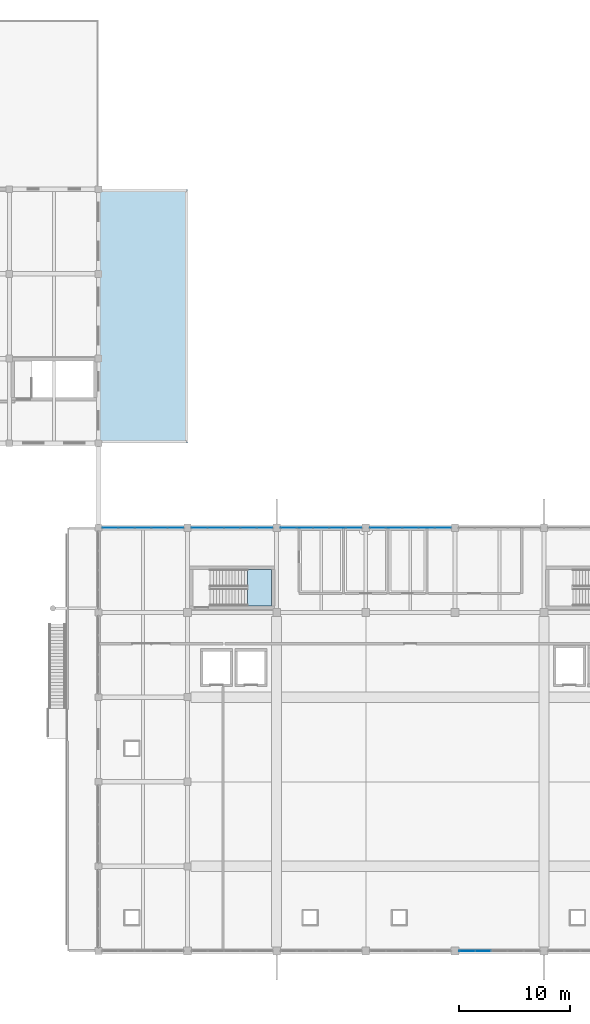
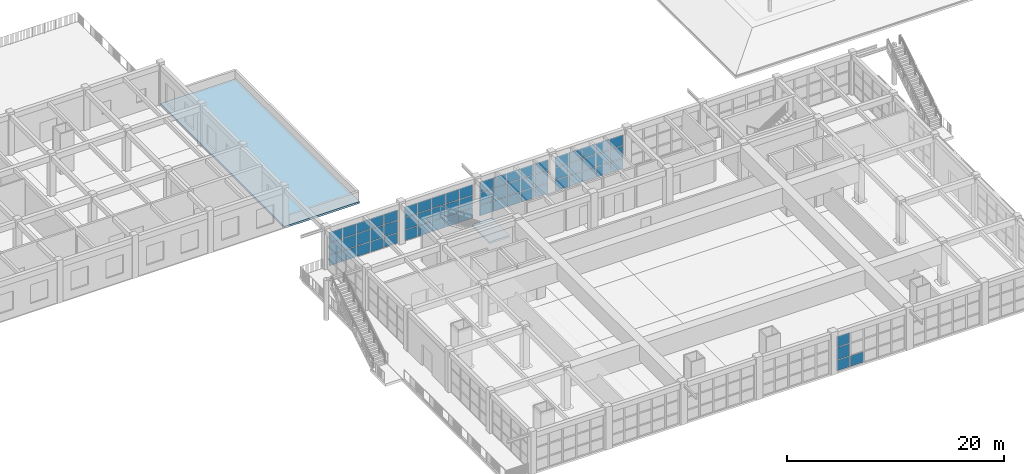
# One storey, part 31 of 50: 64 plates, 2 slabs, 6 elements without a shape of their own.
"""IFC4 building model written with IfcOpenShell, lengths in metres."""

import ifcopenshell
import ifcopenshell.guid

model = None  # the IFC model being written
_history = None  # IfcOwnerHistory: only IFC2X3 demands one
_inside = {}  # id of a spatial element -> (the spatial element, [elements in it])
_under = {}  # id of a project, library or spatial element -> (it, [spatial elements below it])
_declared = {}  # id of a project -> (the project, [libraries it declares])
_typed = {}  # id of a type object -> (the type object, [elements of that type])
_made_of = {}  # id of a material, layer set ... -> (it, [elements and type objects made of it])


def new_model(schema):
    """Start an empty IFC model of exactly this schema.

    Asked for "IFC4X3", IfcOpenShell would pick the latest addendum, in which some entities
    have other attributes; the version numbers below select the first issue.
    IFC2X3 requires an IfcOwnerHistory on every rooted entity: one is made here for all.
    """
    global model, _history
    if schema == "IFC4X3":
        model = ifcopenshell.file(schema_version=(4, 3, 0, 0))
    else:
        model = ifcopenshell.file(schema=schema)
    _inside.clear()
    _under.clear()
    _declared.clear()
    _typed.clear()
    _made_of.clear()
    _history = None
    if model.schema == "IFC2X3":
        org = make("IfcOrganization", Name="unknown")
        user = make(
            "IfcPersonAndOrganization",
            ThePerson=make("IfcPerson", FamilyName="unknown"),
            TheOrganization=org,
        )
        app = make(
            "IfcApplication",
            ApplicationDeveloper=org,
            Version="unknown",
            ApplicationFullName="unknown",
            ApplicationIdentifier="unknown",
        )
        _history = make(
            "IfcOwnerHistory",
            OwningUser=user,
            OwningApplication=app,
            ChangeAction="ADDED",
            CreationDate=0,
        )
    return model


def make(cls, **values):
    """One entity of the class cls with the attributes given. An attribute that is None is left unset."""
    return model.create_entity(
        cls, **{name: value for name, value in values.items() if value is not None}
    )


def rooted(cls, **values):
    """An entity with a GlobalId (a new one), such as an element, a storey or a relation."""
    return make(cls, GlobalId=ifcopenshell.guid.new(), OwnerHistory=_history, **values)


def si_unit(unit_type, name, prefix=None):
    """IfcSIUnit, for example si_unit("LENGTHUNIT", "METRE", prefix="MILLI")."""
    return make("IfcSIUnit", UnitType=unit_type, Prefix=prefix, Name=name)


def assignment(units):
    """IfcUnitAssignment: the units of a project."""
    return None if units is None else make("IfcUnitAssignment", Units=units)


def point(xyz):
    """IfcCartesianPoint."""
    return None if xyz is None else make("IfcCartesianPoint", Coordinates=xyz)


def direction(xyz):
    """IfcDirection."""
    return None if xyz is None else make("IfcDirection", DirectionRatios=xyz)


def frame(location, z_axis=None, x_axis=None):
    """IfcAxis2Placement3D, a coordinate frame: its origin and axes. An axis left out is left unset."""
    return make(
        "IfcAxis2Placement3D",
        Location=point(location),
        Axis=direction(z_axis),
        RefDirection=direction(x_axis),
    )


def frame_2d(location, x_axis=None):
    """IfcAxis2Placement2D, a coordinate frame in the plane: its origin and x axis."""
    return make(
        "IfcAxis2Placement2D", Location=point(location), RefDirection=direction(x_axis)
    )


def origin():
    """The frame at (0, 0, 0) with its axes left unset."""
    return frame((0.0, 0.0, 0.0))


def origin_2d():
    """The frame at (0, 0) in the plane with its x axis left unset."""
    return frame_2d((0.0, 0.0))


def place(relative_to, where):
    """IfcLocalPlacement: puts the frame where relative to a parent placement (None: the world)."""
    return make(
        "IfcLocalPlacement", PlacementRelTo=relative_to, RelativePlacement=where
    )


def context(
    kind, dimensions, precision=None, world=None, true_north=None, identifier=None
):
    """IfcGeometricRepresentationContext, for example the 3D "Model" context."""
    return make(
        "IfcGeometricRepresentationContext",
        ContextIdentifier=identifier,
        ContextType=kind,
        CoordinateSpaceDimension=dimensions,
        Precision=precision,
        WorldCoordinateSystem=world,
        TrueNorth=true_north,
    )


def subcontext(parent, identifier, kind, view, scale=None):
    """IfcGeometricRepresentationSubContext, for example "Body" below "Model"."""
    return make(
        "IfcGeometricRepresentationSubContext",
        ContextIdentifier=identifier,
        ContextType=kind,
        ParentContext=parent,
        TargetScale=scale,
        TargetView=view,
    )


def project(units=None, contexts=None):
    """IfcProject with its units and contexts."""
    return rooted(
        "IfcProject",
        Name="project",
        RepresentationContexts=contexts,
        UnitsInContext=assignment(units),
    )


def spatial(cls, under=None, at=None, **own):
    """A site, building, storey or space (cls), placed at a placement, below another one or the project."""
    s = rooted(cls, ObjectPlacement=at, **own)
    if under is not None:
        _under.setdefault(under.id(), (under, []))[1].append(s)
    return s


def polyline(points):
    """IfcPolyline through the points."""
    return make("IfcPolyline", Points=[point(p) for p in points])


def profile(cls, at=None, kind="AREA", **sizes):
    """A parametric profile (cls). Its sizes go by their IFC names, for example OverallWidth=200.0."""
    return make(cls, ProfileType=kind, Position=at, **sizes)


def rectangle(**sizes):
    """IfcRectangleProfileDef."""
    return profile("IfcRectangleProfileDef", **sizes)


def outline(outer, holes=None, kind="AREA"):
    """IfcArbitraryClosedProfileDef: a profile drawn as a closed curve; with holes, ...WithVoids."""
    if holes is None:
        return make("IfcArbitraryClosedProfileDef", ProfileType=kind, OuterCurve=outer)
    return make(
        "IfcArbitraryProfileDefWithVoids",
        ProfileType=kind,
        OuterCurve=outer,
        InnerCurves=holes,
    )


def extrude(swept, where, along, depth):
    """IfcExtrudedAreaSolid: the profile swept, set in the frame where, extruded along a direction by depth."""
    return make(
        "IfcExtrudedAreaSolid",
        SweptArea=swept,
        Position=where,
        ExtrudedDirection=direction(along),
        Depth=depth,
    )


def shape(context_of_items, identifier, shape_type, items):
    """IfcShapeRepresentation: the items that make up one representation, for example the "Body"."""
    return make(
        "IfcShapeRepresentation",
        ContextOfItems=context_of_items,
        RepresentationIdentifier=identifier,
        RepresentationType=shape_type,
        Items=items,
    )


def material(Name=None, Category=None):
    """IfcMaterial."""
    return make("IfcMaterial", Name=Name, Category=Category)


def layer(
    of_material, thickness, ventilated=None, Name=None, Category=None, Priority=None
):
    """IfcMaterialLayer: one layer of a wall or slab, of a material (None: an air gap)."""
    return make(
        "IfcMaterialLayer",
        Material=of_material,
        LayerThickness=thickness,
        IsVentilated=ventilated,
        Name=Name,
        Category=Category,
        Priority=Priority,
    )


def layer_set(layers, Name=None):
    """IfcMaterialLayerSet."""
    return make("IfcMaterialLayerSet", MaterialLayers=layers, LayerSetName=Name)


def made_of(thing, what):
    """Note that an element or type object is made of a material, layer set ...; save() writes the relation."""
    if what is not None:
        _made_of.setdefault(what.id(), (what, []))[1].append(thing)
    return thing


def type_object(cls, material=None, **own):
    """A type object (cls), such as IfcWallType, which elements share."""
    return made_of(rooted(cls, **own), material)


def element(
    cls,
    number,
    at=None,
    inside=None,
    cuts=None,
    type_object=None,
    material=None,
    context=None,
    identifier="Body",
    shape_type=None,
    held_by="IfcProductDefinitionShape",
    body=None,
    shapes=None,
    **own,
):
    """One element of the class cls, such as IfcWall. Its Tag is "e" and its number.

    at: its placement. inside: the storey or other place that contains it. cuts: it is an
    opening in that element (IfcRelVoidsElement). A single representation is given by context,
    identifier, shape_type and body (its items); several are given by shapes. held_by: the class
    of the entity that holds the representations. save() writes the other relations.
    """
    e = rooted(cls, Tag="e%d" % number, ObjectPlacement=at, **own)
    if body is not None:
        shapes = [shape(context, identifier, shape_type, body)]
    if shapes is not None:
        e.Representation = make(held_by, Representations=shapes)
    if inside is not None:
        _inside.setdefault(inside.id(), (inside, []))[1].append(e)
    if cuts is not None:
        rooted(
            "IfcRelVoidsElement", RelatingBuildingElement=cuts, RelatedOpeningElement=e
        )
    if type_object is not None:
        _typed.setdefault(type_object.id(), (type_object, []))[1].append(e)
    return made_of(e, material)


def aggregate(whole, parts):
    """IfcRelAggregates: a whole, such as a stair, and the parts it consists of."""
    return rooted("IfcRelAggregates", RelatingObject=whole, RelatedObjects=parts)


def save(model, path):
    """Write the relations noted so far, then the file.

    IfcRelAggregates (storeys below a building ...), IfcRelContainedInSpatialStructure (elements
    in a storey), IfcRelDefinesByType, IfcRelAssociatesMaterial and IfcRelDeclares: one each for
    every whole, place, type object, material and project.
    """
    for whole, parts in _under.values():
        aggregate(whole, parts)
    for where, things in _inside.values():
        rooted(
            "IfcRelContainedInSpatialStructure",
            RelatedElements=things,
            RelatingStructure=where,
        )
    for kind, things in _typed.values():
        rooted("IfcRelDefinesByType", RelatedObjects=things, RelatingType=kind)
    for what, things in _made_of.values():
        rooted("IfcRelAssociatesMaterial", RelatedObjects=things, RelatingMaterial=what)
    for by, libraries in _declared.values():
        rooted("IfcRelDeclares", RelatingContext=by, RelatedDefinitions=libraries)
    model.write(path)


model = new_model("IFC4")

# Units and contexts
model_context = context("Model", 3, precision=1e-05, world=origin(), true_north=direction((0.0, 1.0)))
body_context = subcontext(model_context, "Body", "Model", "MODEL_VIEW")
ifc_project = project(units=[si_unit("LENGTHUNIT", "METRE"), si_unit("AREAUNIT", "SQUARE_METRE"), si_unit("VOLUMEUNIT", "CUBIC_METRE"), si_unit("PLANEANGLEUNIT", "RADIAN"), si_unit("MASSUNIT", "GRAM", prefix="KILO")], contexts=[model_context])

# Site, building, storey
site_placement = place(None, origin())
site = spatial("IfcSite", under=ifc_project, at=site_placement, CompositionType="ELEMENT")
building_placement = place(site_placement, origin())
building = spatial("IfcBuilding", under=site, at=building_placement, Name="Zantavel Square City Hall", CompositionType="ELEMENT")
storey_placement = place(building_placement, frame((0.0, 0.0, 18.89990234375)))
storey = spatial("IfcBuildingStorey", under=building, at=storey_placement, Name="L05", CompositionType="ELEMENT", Elevation=18.89990234375)

# Stair, slab
ifc_material_1 = material(Name="Concrete C35/45", Category="concrete")
stair_type = type_object("IfcStairType", Name="Enclosed Core Dogleg Stair L05 H4800", PredefinedType="HALF_TURN_STAIR", material=ifc_material_1)
stair_placement = place(storey_placement, origin())
stair = element("IfcStair", 1, at=stair_placement, inside=storey, type_object=stair_type, Name="L05 Exit Stair 5 Central West Core", PredefinedType="HALF_TURN_STAIR")
ifc_layer_1 = layer(ifc_material_1, 0.2099609375, Name="Concrete C35/45")
ifc_layer_set_1 = layer_set([ifc_layer_1], Name="Concrete C35/45")
slab_type_1 = type_object("IfcSlabType", Name="Core Stair Half-Landing Slab C35/45", PredefinedType="LANDING", material=ifc_layer_set_1)
slab_1_placement = place(storey_placement, frame((0.0, 0.0, 2.2001953125)))
slab_1 = element("IfcSlab", 2, at=slab_1_placement, type_object=slab_type_1, Name="ST5 landing 1", PredefinedType="LANDING", context=body_context, shape_type="SweptSolid", body=[
    extrude(outline(polyline([(69.389892578125, 61.39990234375), (71.530029296875, 61.39990234375), (71.530029296875, 64.669921875), (69.389892578125, 64.669921875), (69.389892578125, 61.39990234375)])), origin(), (0.0, 0.0, 1.0), 0.199951171875),
])
aggregate(stair, [slab_1])

# Slab
ifc_layer_2 = layer(ifc_material_1, 0.219970703125, Name="Concrete C35/45")
ifc_layer_set_2 = layer_set([ifc_layer_2], Name="Concrete C35/45")
slab_type_2 = type_object("IfcSlabType", Name="Insulated Flat Roof Slab 220mm C35/45", PredefinedType="ROOF", material=ifc_layer_set_2)
slab_2_placement = place(storey_placement, frame((0.0, 0.0, -0.219970703125)))
element("IfcSlab", 3, at=slab_2_placement, inside=storey, type_object=slab_type_2, Name="L05 Step-Back Roof Slab SLB-L05-V5-STEP3", PredefinedType="ROOF", context=body_context, shape_type="SweptSolid", body=[
    extrude(outline(polyline([(64.0, 98.800048828125), (64.0, 76.0), (56.0, 76.0), (56.0, 91.199951171875), (56.0, 98.800048828125), (64.0, 98.800048828125)])), origin(), (0.0, 0.0, 1.0), 0.219970703125),
])

# Curtain wall, plates
ifc_material_2 = material(Name="Anodised aluminium 6063-T6", Category="aluminium")
curtain_wall_type_1 = type_object("IfcCurtainWallType", Name="Curtain Wall TRV1 7300x3970", PredefinedType="USERDEFINED", material=ifc_material_2)
curtain_wall_1_placement = place(storey_placement, origin())
curtain_wall_1 = element("IfcCurtainWall", 4, at=curtain_wall_1_placement, inside=storey, type_object=curtain_wall_type_1, Name="L05 Glazed Curtain Wall CW-L05-135", ObjectType="GLAZED CURTAIN WALL", PredefinedType="USERDEFINED")
ifc_material_3 = material(Name="Tempered safety glass low-E double glazing", Category="glass")
ifc_layer_3 = layer(ifc_material_3, 0.028076171875, Name="Tempered safety glass low-E double glazing")
ifc_layer_set_3 = layer_set([ifc_layer_3], Name="Tempered safety glass low-E double glazing")
plate_type_1 = type_object("IfcPlateType", Name="Low-E Curtain Glazing Panel 1460x1323x28", PredefinedType="CURTAIN_PANEL", material=ifc_layer_set_3)
plate_1_placement = place(storey_placement, frame((90.5400390625, 30.39990234375, 0.06005859375), z_axis=(0.0, 0.0, 1.0), x_axis=(-1.0, 0.0, 0.0)))
plate_1 = element("IfcPlate", 5, at=plate_1_placement, type_object=plate_type_1, Name="CW-135 panel 4.1", PredefinedType="CURTAIN_PANEL", context=body_context, shape_type="SweptSolid", body=[
    extrude(rectangle(XDim=1.39990234375, YDim=0.028076171875, at=origin_2d()), origin(), (0.0, 0.0, 1.0), 1.179931640625),
])
plate_2_placement = place(storey_placement, frame((89.094970703125, 30.39990234375, 0.06005859375), z_axis=(0.0, 0.0, 1.0), x_axis=(-1.0, 0.0, 0.0)))
plate_2 = element("IfcPlate", 6, at=plate_2_placement, type_object=plate_type_1, Name="CW-135 panel 5.1", PredefinedType="CURTAIN_PANEL", context=body_context, shape_type="SweptSolid", body=[
    extrude(rectangle(XDim=1.3701171875, YDim=0.028076171875, at=origin_2d()), origin(), (0.0, 0.0, 1.0), 1.179931640625),
])
plate_3_placement = place(storey_placement, frame((89.094970703125, 30.39990234375, 1.300048828125), z_axis=(0.0, 0.0, 1.0), x_axis=(-1.0, 0.0, 0.0)))
plate_3 = element("IfcPlate", 7, at=plate_3_placement, type_object=plate_type_1, Name="CW-135 panel 5.2", PredefinedType="CURTAIN_PANEL", context=body_context, shape_type="SweptSolid", body=[
    extrude(rectangle(XDim=1.3701171875, YDim=0.028076171875, at=origin_2d()), origin(), (0.0, 0.0, 1.0), 1.3701171875),
])
plate_4_placement = place(storey_placement, frame((89.094970703125, 30.39990234375, 2.72998046875), z_axis=(0.0, 0.0, 1.0), x_axis=(-1.0, 0.0, 0.0)))
plate_4 = element("IfcPlate", 8, at=plate_4_placement, type_object=plate_type_1, Name="CW-135 panel 5.3", PredefinedType="CURTAIN_PANEL", context=body_context, shape_type="SweptSolid", body=[
    extrude(rectangle(XDim=1.3701171875, YDim=0.028076171875, at=origin_2d()), origin(), (0.0, 0.0, 1.0), 1.179931640625),
])
aggregate(curtain_wall_1, [plate_1, plate_2, plate_3, plate_4])

curtain_wall_type_2 = type_object("IfcCurtainWallType", Name="Curtain Wall TRV1 7350x3920", PredefinedType="USERDEFINED", material=ifc_material_2)
curtain_wall_2_placement = place(storey_placement, origin())
curtain_wall_2 = element("IfcCurtainWall", 9, at=curtain_wall_2_placement, inside=storey, type_object=curtain_wall_type_2, Name="L05 Glazed Curtain Wall CW-L05-123", ObjectType="GLAZED CURTAIN WALL", PredefinedType="USERDEFINED")
ifc_layer_4 = layer(ifc_material_3, 0.028076171875, Name="Tempered safety glass low-E double glazing")
ifc_layer_set_4 = layer_set([ifc_layer_4], Name="Tempered safety glass low-E double glazing")
plate_type_2 = type_object("IfcPlateType", Name="Low-E Curtain Glazing Panel 1470x1307x28", PredefinedType="CURTAIN_PANEL", material=ifc_layer_set_4)
plate_5_placement = place(storey_placement, frame((65.074951171875, 68.39990234375, 0.06005859375), z_axis=(0.0, 0.0, 1.0), x_axis=(1.0, 0.0, 0.0)))
plate_5 = element("IfcPlate", 10, at=plate_5_placement, type_object=plate_type_2, Name="CW-123 panel 1.1", PredefinedType="CURTAIN_PANEL", context=body_context, shape_type="SweptSolid", body=[
    extrude(rectangle(XDim=1.3798828125, YDim=0.028076171875, at=origin_2d()), origin(), (0.0, 0.0, 1.0), 1.1640625),
])
plate_6_placement = place(storey_placement, frame((65.074951171875, 68.39990234375, 1.2841796875), z_axis=(0.0, 0.0, 1.0), x_axis=(1.0, 0.0, 0.0)))
plate_6 = element("IfcPlate", 11, at=plate_6_placement, type_object=plate_type_2, Name="CW-123 panel 1.2", PredefinedType="CURTAIN_PANEL", context=body_context, shape_type="SweptSolid", body=[
    extrude(rectangle(XDim=1.3798828125, YDim=0.028076171875, at=origin_2d()), origin(), (0.0, 0.0, 1.0), 1.35205078125),
])
plate_7_placement = place(storey_placement, frame((65.074951171875, 68.39990234375, 2.696044921875), z_axis=(0.0, 0.0, 1.0), x_axis=(1.0, 0.0, 0.0)))
plate_7 = element("IfcPlate", 12, at=plate_7_placement, type_object=plate_type_2, Name="CW-123 panel 1.3", PredefinedType="CURTAIN_PANEL", context=body_context, shape_type="SweptSolid", body=[
    extrude(rectangle(XDim=1.3798828125, YDim=0.028076171875, at=origin_2d()), origin(), (0.0, 0.0, 1.0), 1.1640625),
])
plate_8_placement = place(storey_placement, frame((66.530029296875, 68.39990234375, 0.06005859375), z_axis=(0.0, 0.0, 1.0), x_axis=(1.0, 0.0, 0.0)))
plate_8 = element("IfcPlate", 13, at=plate_8_placement, type_object=plate_type_2, Name="CW-123 panel 2.1", PredefinedType="CURTAIN_PANEL", context=body_context, shape_type="SweptSolid", body=[
    extrude(rectangle(XDim=1.409912109375, YDim=0.028076171875, at=origin_2d()), origin(), (0.0, 0.0, 1.0), 1.1640625),
])
plate_9_placement = place(storey_placement, frame((66.530029296875, 68.39990234375, 1.2841796875), z_axis=(0.0, 0.0, 1.0), x_axis=(1.0, 0.0, 0.0)))
plate_9 = element("IfcPlate", 14, at=plate_9_placement, type_object=plate_type_2, Name="CW-123 panel 2.2", PredefinedType="CURTAIN_PANEL", context=body_context, shape_type="SweptSolid", body=[
    extrude(rectangle(XDim=1.409912109375, YDim=0.028076171875, at=origin_2d()), origin(), (0.0, 0.0, 1.0), 1.35205078125),
])
plate_10_placement = place(storey_placement, frame((66.530029296875, 68.39990234375, 2.696044921875), z_axis=(0.0, 0.0, 1.0), x_axis=(1.0, 0.0, 0.0)))
plate_10 = element("IfcPlate", 15, at=plate_10_placement, type_object=plate_type_2, Name="CW-123 panel 2.3", PredefinedType="CURTAIN_PANEL", context=body_context, shape_type="SweptSolid", body=[
    extrude(rectangle(XDim=1.409912109375, YDim=0.028076171875, at=origin_2d()), origin(), (0.0, 0.0, 1.0), 1.1640625),
])
plate_11_placement = place(storey_placement, frame((68.0, 68.39990234375, 0.06005859375), z_axis=(0.0, 0.0, 1.0), x_axis=(1.0, 0.0, 0.0)))
plate_11 = element("IfcPlate", 16, at=plate_11_placement, type_object=plate_type_2, Name="CW-123 panel 3.1", PredefinedType="CURTAIN_PANEL", context=body_context, shape_type="SweptSolid", body=[
    extrude(rectangle(XDim=1.409912109375, YDim=0.028076171875, at=origin_2d()), origin(), (0.0, 0.0, 1.0), 1.1640625),
])
plate_12_placement = place(storey_placement, frame((68.0, 68.39990234375, 1.2841796875), z_axis=(0.0, 0.0, 1.0), x_axis=(1.0, 0.0, 0.0)))
plate_12 = element("IfcPlate", 17, at=plate_12_placement, type_object=plate_type_2, Name="CW-123 panel 3.2", PredefinedType="CURTAIN_PANEL", context=body_context, shape_type="SweptSolid", body=[
    extrude(rectangle(XDim=1.409912109375, YDim=0.028076171875, at=origin_2d()), origin(), (0.0, 0.0, 1.0), 1.35205078125),
])
plate_13_placement = place(storey_placement, frame((68.0, 68.39990234375, 2.696044921875), z_axis=(0.0, 0.0, 1.0), x_axis=(1.0, 0.0, 0.0)))
plate_13 = element("IfcPlate", 18, at=plate_13_placement, type_object=plate_type_2, Name="CW-123 panel 3.3", PredefinedType="CURTAIN_PANEL", context=body_context, shape_type="SweptSolid", body=[
    extrude(rectangle(XDim=1.409912109375, YDim=0.028076171875, at=origin_2d()), origin(), (0.0, 0.0, 1.0), 1.1640625),
])
plate_14_placement = place(storey_placement, frame((69.469970703125, 68.39990234375, 0.06005859375), z_axis=(0.0, 0.0, 1.0), x_axis=(1.0, 0.0, 0.0)))
plate_14 = element("IfcPlate", 19, at=plate_14_placement, type_object=plate_type_2, Name="CW-123 panel 4.1", PredefinedType="CURTAIN_PANEL", context=body_context, shape_type="SweptSolid", body=[
    extrude(rectangle(XDim=1.409912109375, YDim=0.028076171875, at=origin_2d()), origin(), (0.0, 0.0, 1.0), 1.1640625),
])
plate_15_placement = place(storey_placement, frame((69.469970703125, 68.39990234375, 1.2841796875), z_axis=(0.0, 0.0, 1.0), x_axis=(1.0, 0.0, 0.0)))
plate_15 = element("IfcPlate", 20, at=plate_15_placement, type_object=plate_type_2, Name="CW-123 panel 4.2", PredefinedType="CURTAIN_PANEL", context=body_context, shape_type="SweptSolid", body=[
    extrude(rectangle(XDim=1.409912109375, YDim=0.028076171875, at=origin_2d()), origin(), (0.0, 0.0, 1.0), 1.35205078125),
])
plate_16_placement = place(storey_placement, frame((69.469970703125, 68.39990234375, 2.696044921875), z_axis=(0.0, 0.0, 1.0), x_axis=(1.0, 0.0, 0.0)))
plate_16 = element("IfcPlate", 21, at=plate_16_placement, type_object=plate_type_2, Name="CW-123 panel 4.3", PredefinedType="CURTAIN_PANEL", context=body_context, shape_type="SweptSolid", body=[
    extrude(rectangle(XDim=1.409912109375, YDim=0.028076171875, at=origin_2d()), origin(), (0.0, 0.0, 1.0), 1.1640625),
])
plate_17_placement = place(storey_placement, frame((70.925048828125, 68.39990234375, 0.06005859375), z_axis=(0.0, 0.0, 1.0), x_axis=(1.0, 0.0, 0.0)))
plate_17 = element("IfcPlate", 22, at=plate_17_placement, type_object=plate_type_2, Name="CW-123 panel 5.1", PredefinedType="CURTAIN_PANEL", context=body_context, shape_type="SweptSolid", body=[
    extrude(rectangle(XDim=1.3798828125, YDim=0.028076171875, at=origin_2d()), origin(), (0.0, 0.0, 1.0), 1.1640625),
])
plate_18_placement = place(storey_placement, frame((70.925048828125, 68.39990234375, 1.2841796875), z_axis=(0.0, 0.0, 1.0), x_axis=(1.0, 0.0, 0.0)))
plate_18 = element("IfcPlate", 23, at=plate_18_placement, type_object=plate_type_2, Name="CW-123 panel 5.2", PredefinedType="CURTAIN_PANEL", context=body_context, shape_type="SweptSolid", body=[
    extrude(rectangle(XDim=1.3798828125, YDim=0.028076171875, at=origin_2d()), origin(), (0.0, 0.0, 1.0), 1.35205078125),
])
plate_19_placement = place(storey_placement, frame((70.925048828125, 68.39990234375, 2.696044921875), z_axis=(0.0, 0.0, 1.0), x_axis=(1.0, 0.0, 0.0)))
plate_19 = element("IfcPlate", 24, at=plate_19_placement, type_object=plate_type_2, Name="CW-123 panel 5.3", PredefinedType="CURTAIN_PANEL", context=body_context, shape_type="SweptSolid", body=[
    extrude(rectangle(XDim=1.3798828125, YDim=0.028076171875, at=origin_2d()), origin(), (0.0, 0.0, 1.0), 1.1640625),
])
aggregate(curtain_wall_2, [plate_5, plate_6, plate_7, plate_8, plate_9, plate_10, plate_11, plate_12, plate_13, plate_14, plate_15, plate_16, plate_17, plate_18, plate_19])

curtain_wall_3_placement = place(storey_placement, origin())
curtain_wall_3 = element("IfcCurtainWall", 25, at=curtain_wall_3_placement, inside=storey, type_object=curtain_wall_type_2, Name="L05 Glazed Curtain Wall CW-L05-124", ObjectType="GLAZED CURTAIN WALL", PredefinedType="USERDEFINED")
plate_20_placement = place(storey_placement, frame((73.074951171875, 68.39990234375, 0.06005859375), z_axis=(0.0, 0.0, 1.0), x_axis=(1.0, 0.0, 0.0)))
plate_20 = element("IfcPlate", 26, at=plate_20_placement, type_object=plate_type_2, Name="CW-124 panel 1.1", PredefinedType="CURTAIN_PANEL", context=body_context, shape_type="SweptSolid", body=[
    extrude(rectangle(XDim=1.3798828125, YDim=0.028076171875, at=origin_2d()), origin(), (0.0, 0.0, 1.0), 1.1640625),
])
plate_21_placement = place(storey_placement, frame((73.074951171875, 68.39990234375, 1.2841796875), z_axis=(0.0, 0.0, 1.0), x_axis=(1.0, 0.0, 0.0)))
plate_21 = element("IfcPlate", 27, at=plate_21_placement, type_object=plate_type_2, Name="CW-124 panel 1.2", PredefinedType="CURTAIN_PANEL", context=body_context, shape_type="SweptSolid", body=[
    extrude(rectangle(XDim=1.3798828125, YDim=0.028076171875, at=origin_2d()), origin(), (0.0, 0.0, 1.0), 1.35205078125),
])
plate_22_placement = place(storey_placement, frame((73.074951171875, 68.39990234375, 2.696044921875), z_axis=(0.0, 0.0, 1.0), x_axis=(1.0, 0.0, 0.0)))
plate_22 = element("IfcPlate", 28, at=plate_22_placement, type_object=plate_type_2, Name="CW-124 panel 1.3", PredefinedType="CURTAIN_PANEL", context=body_context, shape_type="SweptSolid", body=[
    extrude(rectangle(XDim=1.3798828125, YDim=0.028076171875, at=origin_2d()), origin(), (0.0, 0.0, 1.0), 1.1640625),
])
plate_23_placement = place(storey_placement, frame((74.530029296875, 68.39990234375, 0.06005859375), z_axis=(0.0, 0.0, 1.0), x_axis=(1.0, 0.0, 0.0)))
plate_23 = element("IfcPlate", 29, at=plate_23_placement, type_object=plate_type_2, Name="CW-124 panel 2.1", PredefinedType="CURTAIN_PANEL", context=body_context, shape_type="SweptSolid", body=[
    extrude(rectangle(XDim=1.409912109375, YDim=0.028076171875, at=origin_2d()), origin(), (0.0, 0.0, 1.0), 1.1640625),
])
plate_24_placement = place(storey_placement, frame((74.530029296875, 68.39990234375, 1.2841796875), z_axis=(0.0, 0.0, 1.0), x_axis=(1.0, 0.0, 0.0)))
plate_24 = element("IfcPlate", 30, at=plate_24_placement, type_object=plate_type_2, Name="CW-124 panel 2.2", PredefinedType="CURTAIN_PANEL", context=body_context, shape_type="SweptSolid", body=[
    extrude(rectangle(XDim=1.409912109375, YDim=0.028076171875, at=origin_2d()), origin(), (0.0, 0.0, 1.0), 1.35205078125),
])
plate_25_placement = place(storey_placement, frame((74.530029296875, 68.39990234375, 2.696044921875), z_axis=(0.0, 0.0, 1.0), x_axis=(1.0, 0.0, 0.0)))
plate_25 = element("IfcPlate", 31, at=plate_25_placement, type_object=plate_type_2, Name="CW-124 panel 2.3", PredefinedType="CURTAIN_PANEL", context=body_context, shape_type="SweptSolid", body=[
    extrude(rectangle(XDim=1.409912109375, YDim=0.028076171875, at=origin_2d()), origin(), (0.0, 0.0, 1.0), 1.1640625),
])
plate_26_placement = place(storey_placement, frame((76.0, 68.39990234375, 0.06005859375), z_axis=(0.0, 0.0, 1.0), x_axis=(1.0, 0.0, 0.0)))
plate_26 = element("IfcPlate", 32, at=plate_26_placement, type_object=plate_type_2, Name="CW-124 panel 3.1", PredefinedType="CURTAIN_PANEL", context=body_context, shape_type="SweptSolid", body=[
    extrude(rectangle(XDim=1.409912109375, YDim=0.028076171875, at=origin_2d()), origin(), (0.0, 0.0, 1.0), 1.1640625),
])
plate_27_placement = place(storey_placement, frame((76.0, 68.39990234375, 1.2841796875), z_axis=(0.0, 0.0, 1.0), x_axis=(1.0, 0.0, 0.0)))
plate_27 = element("IfcPlate", 33, at=plate_27_placement, type_object=plate_type_2, Name="CW-124 panel 3.2", PredefinedType="CURTAIN_PANEL", context=body_context, shape_type="SweptSolid", body=[
    extrude(rectangle(XDim=1.409912109375, YDim=0.028076171875, at=origin_2d()), origin(), (0.0, 0.0, 1.0), 1.35205078125),
])
plate_28_placement = place(storey_placement, frame((76.0, 68.39990234375, 2.696044921875), z_axis=(0.0, 0.0, 1.0), x_axis=(1.0, 0.0, 0.0)))
plate_28 = element("IfcPlate", 34, at=plate_28_placement, type_object=plate_type_2, Name="CW-124 panel 3.3", PredefinedType="CURTAIN_PANEL", context=body_context, shape_type="SweptSolid", body=[
    extrude(rectangle(XDim=1.409912109375, YDim=0.028076171875, at=origin_2d()), origin(), (0.0, 0.0, 1.0), 1.1640625),
])
plate_29_placement = place(storey_placement, frame((77.469970703125, 68.39990234375, 0.06005859375), z_axis=(0.0, 0.0, 1.0), x_axis=(1.0, 0.0, 0.0)))
plate_29 = element("IfcPlate", 35, at=plate_29_placement, type_object=plate_type_2, Name="CW-124 panel 4.1", PredefinedType="CURTAIN_PANEL", context=body_context, shape_type="SweptSolid", body=[
    extrude(rectangle(XDim=1.409912109375, YDim=0.028076171875, at=origin_2d()), origin(), (0.0, 0.0, 1.0), 1.1640625),
])
plate_30_placement = place(storey_placement, frame((77.469970703125, 68.39990234375, 1.2841796875), z_axis=(0.0, 0.0, 1.0), x_axis=(1.0, 0.0, 0.0)))
plate_30 = element("IfcPlate", 36, at=plate_30_placement, type_object=plate_type_2, Name="CW-124 panel 4.2", PredefinedType="CURTAIN_PANEL", context=body_context, shape_type="SweptSolid", body=[
    extrude(rectangle(XDim=1.409912109375, YDim=0.028076171875, at=origin_2d()), origin(), (0.0, 0.0, 1.0), 1.35205078125),
])
plate_31_placement = place(storey_placement, frame((77.469970703125, 68.39990234375, 2.696044921875), z_axis=(0.0, 0.0, 1.0), x_axis=(1.0, 0.0, 0.0)))
plate_31 = element("IfcPlate", 37, at=plate_31_placement, type_object=plate_type_2, Name="CW-124 panel 4.3", PredefinedType="CURTAIN_PANEL", context=body_context, shape_type="SweptSolid", body=[
    extrude(rectangle(XDim=1.409912109375, YDim=0.028076171875, at=origin_2d()), origin(), (0.0, 0.0, 1.0), 1.1640625),
])
plate_32_placement = place(storey_placement, frame((78.925048828125, 68.39990234375, 0.06005859375), z_axis=(0.0, 0.0, 1.0), x_axis=(1.0, 0.0, 0.0)))
plate_32 = element("IfcPlate", 38, at=plate_32_placement, type_object=plate_type_2, Name="CW-124 panel 5.1", PredefinedType="CURTAIN_PANEL", context=body_context, shape_type="SweptSolid", body=[
    extrude(rectangle(XDim=1.3798828125, YDim=0.028076171875, at=origin_2d()), origin(), (0.0, 0.0, 1.0), 1.1640625),
])
plate_33_placement = place(storey_placement, frame((78.925048828125, 68.39990234375, 1.2841796875), z_axis=(0.0, 0.0, 1.0), x_axis=(1.0, 0.0, 0.0)))
plate_33 = element("IfcPlate", 39, at=plate_33_placement, type_object=plate_type_2, Name="CW-124 panel 5.2", PredefinedType="CURTAIN_PANEL", context=body_context, shape_type="SweptSolid", body=[
    extrude(rectangle(XDim=1.3798828125, YDim=0.028076171875, at=origin_2d()), origin(), (0.0, 0.0, 1.0), 1.35205078125),
])
plate_34_placement = place(storey_placement, frame((78.925048828125, 68.39990234375, 2.696044921875), z_axis=(0.0, 0.0, 1.0), x_axis=(1.0, 0.0, 0.0)))
plate_34 = element("IfcPlate", 40, at=plate_34_placement, type_object=plate_type_2, Name="CW-124 panel 5.3", PredefinedType="CURTAIN_PANEL", context=body_context, shape_type="SweptSolid", body=[
    extrude(rectangle(XDim=1.3798828125, YDim=0.028076171875, at=origin_2d()), origin(), (0.0, 0.0, 1.0), 1.1640625),
])
aggregate(curtain_wall_3, [plate_20, plate_21, plate_22, plate_23, plate_24, plate_25, plate_26, plate_27, plate_28, plate_29, plate_30, plate_31, plate_32, plate_33, plate_34])

curtain_wall_4_placement = place(storey_placement, origin())
curtain_wall_4 = element("IfcCurtainWall", 41, at=curtain_wall_4_placement, inside=storey, type_object=curtain_wall_type_2, Name="L05 Glazed Curtain Wall CW-L05-125", ObjectType="GLAZED CURTAIN WALL", PredefinedType="USERDEFINED")
plate_35_placement = place(storey_placement, frame((81.074951171875, 68.39990234375, 0.06005859375), z_axis=(0.0, 0.0, 1.0), x_axis=(1.0, 0.0, 0.0)))
plate_35 = element("IfcPlate", 42, at=plate_35_placement, type_object=plate_type_2, Name="CW-125 panel 1.1", PredefinedType="CURTAIN_PANEL", context=body_context, shape_type="SweptSolid", body=[
    extrude(rectangle(XDim=1.3798828125, YDim=0.028076171875, at=origin_2d()), origin(), (0.0, 0.0, 1.0), 1.1640625),
])
plate_36_placement = place(storey_placement, frame((81.074951171875, 68.39990234375, 1.2841796875), z_axis=(0.0, 0.0, 1.0), x_axis=(1.0, 0.0, 0.0)))
plate_36 = element("IfcPlate", 43, at=plate_36_placement, type_object=plate_type_2, Name="CW-125 panel 1.2", PredefinedType="CURTAIN_PANEL", context=body_context, shape_type="SweptSolid", body=[
    extrude(rectangle(XDim=1.3798828125, YDim=0.028076171875, at=origin_2d()), origin(), (0.0, 0.0, 1.0), 1.35205078125),
])
plate_37_placement = place(storey_placement, frame((81.074951171875, 68.39990234375, 2.696044921875), z_axis=(0.0, 0.0, 1.0), x_axis=(1.0, 0.0, 0.0)))
plate_37 = element("IfcPlate", 44, at=plate_37_placement, type_object=plate_type_2, Name="CW-125 panel 1.3", PredefinedType="CURTAIN_PANEL", context=body_context, shape_type="SweptSolid", body=[
    extrude(rectangle(XDim=1.3798828125, YDim=0.028076171875, at=origin_2d()), origin(), (0.0, 0.0, 1.0), 1.1640625),
])
plate_38_placement = place(storey_placement, frame((82.530029296875, 68.39990234375, 0.06005859375), z_axis=(0.0, 0.0, 1.0), x_axis=(1.0, 0.0, 0.0)))
plate_38 = element("IfcPlate", 45, at=plate_38_placement, type_object=plate_type_2, Name="CW-125 panel 2.1", PredefinedType="CURTAIN_PANEL", context=body_context, shape_type="SweptSolid", body=[
    extrude(rectangle(XDim=1.409912109375, YDim=0.028076171875, at=origin_2d()), origin(), (0.0, 0.0, 1.0), 1.1640625),
])
plate_39_placement = place(storey_placement, frame((82.530029296875, 68.39990234375, 1.2841796875), z_axis=(0.0, 0.0, 1.0), x_axis=(1.0, 0.0, 0.0)))
plate_39 = element("IfcPlate", 46, at=plate_39_placement, type_object=plate_type_2, Name="CW-125 panel 2.2", PredefinedType="CURTAIN_PANEL", context=body_context, shape_type="SweptSolid", body=[
    extrude(rectangle(XDim=1.409912109375, YDim=0.028076171875, at=origin_2d()), origin(), (0.0, 0.0, 1.0), 1.35205078125),
])
plate_40_placement = place(storey_placement, frame((82.530029296875, 68.39990234375, 2.696044921875), z_axis=(0.0, 0.0, 1.0), x_axis=(1.0, 0.0, 0.0)))
plate_40 = element("IfcPlate", 47, at=plate_40_placement, type_object=plate_type_2, Name="CW-125 panel 2.3", PredefinedType="CURTAIN_PANEL", context=body_context, shape_type="SweptSolid", body=[
    extrude(rectangle(XDim=1.409912109375, YDim=0.028076171875, at=origin_2d()), origin(), (0.0, 0.0, 1.0), 1.1640625),
])
plate_41_placement = place(storey_placement, frame((84.0, 68.39990234375, 0.06005859375), z_axis=(0.0, 0.0, 1.0), x_axis=(1.0, 0.0, 0.0)))
plate_41 = element("IfcPlate", 48, at=plate_41_placement, type_object=plate_type_2, Name="CW-125 panel 3.1", PredefinedType="CURTAIN_PANEL", context=body_context, shape_type="SweptSolid", body=[
    extrude(rectangle(XDim=1.409912109375, YDim=0.028076171875, at=origin_2d()), origin(), (0.0, 0.0, 1.0), 1.1640625),
])
plate_42_placement = place(storey_placement, frame((84.0, 68.39990234375, 1.2841796875), z_axis=(0.0, 0.0, 1.0), x_axis=(1.0, 0.0, 0.0)))
plate_42 = element("IfcPlate", 49, at=plate_42_placement, type_object=plate_type_2, Name="CW-125 panel 3.2", PredefinedType="CURTAIN_PANEL", context=body_context, shape_type="SweptSolid", body=[
    extrude(rectangle(XDim=1.409912109375, YDim=0.028076171875, at=origin_2d()), origin(), (0.0, 0.0, 1.0), 1.35205078125),
])
plate_43_placement = place(storey_placement, frame((84.0, 68.39990234375, 2.696044921875), z_axis=(0.0, 0.0, 1.0), x_axis=(1.0, 0.0, 0.0)))
plate_43 = element("IfcPlate", 50, at=plate_43_placement, type_object=plate_type_2, Name="CW-125 panel 3.3", PredefinedType="CURTAIN_PANEL", context=body_context, shape_type="SweptSolid", body=[
    extrude(rectangle(XDim=1.409912109375, YDim=0.028076171875, at=origin_2d()), origin(), (0.0, 0.0, 1.0), 1.1640625),
])
plate_44_placement = place(storey_placement, frame((85.469970703125, 68.39990234375, 0.06005859375), z_axis=(0.0, 0.0, 1.0), x_axis=(1.0, 0.0, 0.0)))
plate_44 = element("IfcPlate", 51, at=plate_44_placement, type_object=plate_type_2, Name="CW-125 panel 4.1", PredefinedType="CURTAIN_PANEL", context=body_context, shape_type="SweptSolid", body=[
    extrude(rectangle(XDim=1.409912109375, YDim=0.028076171875, at=origin_2d()), origin(), (0.0, 0.0, 1.0), 1.1640625),
])
plate_45_placement = place(storey_placement, frame((85.469970703125, 68.39990234375, 1.2841796875), z_axis=(0.0, 0.0, 1.0), x_axis=(1.0, 0.0, 0.0)))
plate_45 = element("IfcPlate", 52, at=plate_45_placement, type_object=plate_type_2, Name="CW-125 panel 4.2", PredefinedType="CURTAIN_PANEL", context=body_context, shape_type="SweptSolid", body=[
    extrude(rectangle(XDim=1.409912109375, YDim=0.028076171875, at=origin_2d()), origin(), (0.0, 0.0, 1.0), 1.35205078125),
])
plate_46_placement = place(storey_placement, frame((85.469970703125, 68.39990234375, 2.696044921875), z_axis=(0.0, 0.0, 1.0), x_axis=(1.0, 0.0, 0.0)))
plate_46 = element("IfcPlate", 53, at=plate_46_placement, type_object=plate_type_2, Name="CW-125 panel 4.3", PredefinedType="CURTAIN_PANEL", context=body_context, shape_type="SweptSolid", body=[
    extrude(rectangle(XDim=1.409912109375, YDim=0.028076171875, at=origin_2d()), origin(), (0.0, 0.0, 1.0), 1.1640625),
])
plate_47_placement = place(storey_placement, frame((86.925048828125, 68.39990234375, 0.06005859375), z_axis=(0.0, 0.0, 1.0), x_axis=(1.0, 0.0, 0.0)))
plate_47 = element("IfcPlate", 54, at=plate_47_placement, type_object=plate_type_2, Name="CW-125 panel 5.1", PredefinedType="CURTAIN_PANEL", context=body_context, shape_type="SweptSolid", body=[
    extrude(rectangle(XDim=1.3798828125, YDim=0.028076171875, at=origin_2d()), origin(), (0.0, 0.0, 1.0), 1.1640625),
])
plate_48_placement = place(storey_placement, frame((86.925048828125, 68.39990234375, 1.2841796875), z_axis=(0.0, 0.0, 1.0), x_axis=(1.0, 0.0, 0.0)))
plate_48 = element("IfcPlate", 55, at=plate_48_placement, type_object=plate_type_2, Name="CW-125 panel 5.2", PredefinedType="CURTAIN_PANEL", context=body_context, shape_type="SweptSolid", body=[
    extrude(rectangle(XDim=1.3798828125, YDim=0.028076171875, at=origin_2d()), origin(), (0.0, 0.0, 1.0), 1.35205078125),
])
plate_49_placement = place(storey_placement, frame((86.925048828125, 68.39990234375, 2.696044921875), z_axis=(0.0, 0.0, 1.0), x_axis=(1.0, 0.0, 0.0)))
plate_49 = element("IfcPlate", 56, at=plate_49_placement, type_object=plate_type_2, Name="CW-125 panel 5.3", PredefinedType="CURTAIN_PANEL", context=body_context, shape_type="SweptSolid", body=[
    extrude(rectangle(XDim=1.3798828125, YDim=0.028076171875, at=origin_2d()), origin(), (0.0, 0.0, 1.0), 1.1640625),
])
aggregate(curtain_wall_4, [plate_35, plate_36, plate_37, plate_38, plate_39, plate_40, plate_41, plate_42, plate_43, plate_44, plate_45, plate_46, plate_47, plate_48, plate_49])

curtain_wall_type_3 = type_object("IfcCurtainWallType", Name="Curtain Wall TRV1 7375x3870", PredefinedType="USERDEFINED", material=ifc_material_2)
curtain_wall_5_placement = place(storey_placement, origin())
curtain_wall_5 = element("IfcCurtainWall", 57, at=curtain_wall_5_placement, inside=storey, type_object=curtain_wall_type_3, Name="L05 Glazed Curtain Wall CW-L05-122", ObjectType="GLAZED CURTAIN WALL", PredefinedType="USERDEFINED")
ifc_layer_5 = layer(ifc_material_3, 0.028076171875, Name="Tempered safety glass low-E double glazing")
ifc_layer_set_5 = layer_set([ifc_layer_5], Name="Tempered safety glass low-E double glazing")
plate_type_3 = type_object("IfcPlateType", Name="Low-E Curtain Glazing Panel 1475x1290x28", PredefinedType="CURTAIN_PANEL", material=ifc_layer_set_5)
plate_50_placement = place(storey_placement, frame((57.052490234375, 68.39990234375, 0.06005859375), z_axis=(0.0, 0.0, 1.0), x_axis=(1.0, 0.0, 0.0)))
plate_50 = element("IfcPlate", 58, at=plate_50_placement, type_object=plate_type_3, Name="CW-122 panel 1.1", PredefinedType="CURTAIN_PANEL", context=body_context, shape_type="SweptSolid", body=[
    extrude(rectangle(XDim=1.385009765625, YDim=0.028076171875, at=origin_2d()), origin(), (0.0, 0.0, 1.0), 1.14794921875),
])
plate_51_placement = place(storey_placement, frame((57.052490234375, 68.39990234375, 1.26806640625), z_axis=(0.0, 0.0, 1.0), x_axis=(1.0, 0.0, 0.0)))
plate_51 = element("IfcPlate", 59, at=plate_51_placement, type_object=plate_type_3, Name="CW-122 panel 1.2", PredefinedType="CURTAIN_PANEL", context=body_context, shape_type="SweptSolid", body=[
    extrude(rectangle(XDim=1.385009765625, YDim=0.028076171875, at=origin_2d()), origin(), (0.0, 0.0, 1.0), 1.333984375),
])
plate_52_placement = place(storey_placement, frame((57.052490234375, 68.39990234375, 2.662109375), z_axis=(0.0, 0.0, 1.0), x_axis=(1.0, 0.0, 0.0)))
plate_52 = element("IfcPlate", 60, at=plate_52_placement, type_object=plate_type_3, Name="CW-122 panel 1.3", PredefinedType="CURTAIN_PANEL", context=body_context, shape_type="SweptSolid", body=[
    extrude(rectangle(XDim=1.385009765625, YDim=0.028076171875, at=origin_2d()), origin(), (0.0, 0.0, 1.0), 1.14794921875),
])
plate_53_placement = place(storey_placement, frame((58.512451171875, 68.39990234375, 0.06005859375), z_axis=(0.0, 0.0, 1.0), x_axis=(1.0, 0.0, 0.0)))
plate_53 = element("IfcPlate", 61, at=plate_53_placement, type_object=plate_type_3, Name="CW-122 panel 2.1", PredefinedType="CURTAIN_PANEL", context=body_context, shape_type="SweptSolid", body=[
    extrude(rectangle(XDim=1.4150390625, YDim=0.028076171875, at=origin_2d()), origin(), (0.0, 0.0, 1.0), 1.14794921875),
])
plate_54_placement = place(storey_placement, frame((58.512451171875, 68.39990234375, 1.26806640625), z_axis=(0.0, 0.0, 1.0), x_axis=(1.0, 0.0, 0.0)))
plate_54 = element("IfcPlate", 62, at=plate_54_placement, type_object=plate_type_3, Name="CW-122 panel 2.2", PredefinedType="CURTAIN_PANEL", context=body_context, shape_type="SweptSolid", body=[
    extrude(rectangle(XDim=1.4150390625, YDim=0.028076171875, at=origin_2d()), origin(), (0.0, 0.0, 1.0), 1.333984375),
])
plate_55_placement = place(storey_placement, frame((58.512451171875, 68.39990234375, 2.662109375), z_axis=(0.0, 0.0, 1.0), x_axis=(1.0, 0.0, 0.0)))
plate_55 = element("IfcPlate", 63, at=plate_55_placement, type_object=plate_type_3, Name="CW-122 panel 2.3", PredefinedType="CURTAIN_PANEL", context=body_context, shape_type="SweptSolid", body=[
    extrude(rectangle(XDim=1.4150390625, YDim=0.028076171875, at=origin_2d()), origin(), (0.0, 0.0, 1.0), 1.14794921875),
])
plate_56_placement = place(storey_placement, frame((59.987548828125, 68.39990234375, 0.06005859375), z_axis=(0.0, 0.0, 1.0), x_axis=(1.0, 0.0, 0.0)))
plate_56 = element("IfcPlate", 64, at=plate_56_placement, type_object=plate_type_3, Name="CW-122 panel 3.1", PredefinedType="CURTAIN_PANEL", context=body_context, shape_type="SweptSolid", body=[
    extrude(rectangle(XDim=1.4150390625, YDim=0.028076171875, at=origin_2d()), origin(), (0.0, 0.0, 1.0), 1.14794921875),
])
plate_57_placement = place(storey_placement, frame((59.987548828125, 68.39990234375, 1.26806640625), z_axis=(0.0, 0.0, 1.0), x_axis=(1.0, 0.0, 0.0)))
plate_57 = element("IfcPlate", 65, at=plate_57_placement, type_object=plate_type_3, Name="CW-122 panel 3.2", PredefinedType="CURTAIN_PANEL", context=body_context, shape_type="SweptSolid", body=[
    extrude(rectangle(XDim=1.4150390625, YDim=0.028076171875, at=origin_2d()), origin(), (0.0, 0.0, 1.0), 1.333984375),
])
plate_58_placement = place(storey_placement, frame((59.987548828125, 68.39990234375, 2.662109375), z_axis=(0.0, 0.0, 1.0), x_axis=(1.0, 0.0, 0.0)))
plate_58 = element("IfcPlate", 66, at=plate_58_placement, type_object=plate_type_3, Name="CW-122 panel 3.3", PredefinedType="CURTAIN_PANEL", context=body_context, shape_type="SweptSolid", body=[
    extrude(rectangle(XDim=1.4150390625, YDim=0.028076171875, at=origin_2d()), origin(), (0.0, 0.0, 1.0), 1.14794921875),
])
plate_59_placement = place(storey_placement, frame((61.46240234375, 68.39990234375, 0.06005859375), z_axis=(0.0, 0.0, 1.0), x_axis=(1.0, 0.0, 0.0)))
plate_59 = element("IfcPlate", 67, at=plate_59_placement, type_object=plate_type_3, Name="CW-122 panel 4.1", PredefinedType="CURTAIN_PANEL", context=body_context, shape_type="SweptSolid", body=[
    extrude(rectangle(XDim=1.4150390625, YDim=0.028076171875, at=origin_2d()), origin(), (0.0, 0.0, 1.0), 1.14794921875),
])
plate_60_placement = place(storey_placement, frame((61.46240234375, 68.39990234375, 1.26806640625), z_axis=(0.0, 0.0, 1.0), x_axis=(1.0, 0.0, 0.0)))
plate_60 = element("IfcPlate", 68, at=plate_60_placement, type_object=plate_type_3, Name="CW-122 panel 4.2", PredefinedType="CURTAIN_PANEL", context=body_context, shape_type="SweptSolid", body=[
    extrude(rectangle(XDim=1.4150390625, YDim=0.028076171875, at=origin_2d()), origin(), (0.0, 0.0, 1.0), 1.333984375),
])
plate_61_placement = place(storey_placement, frame((61.46240234375, 68.39990234375, 2.662109375), z_axis=(0.0, 0.0, 1.0), x_axis=(1.0, 0.0, 0.0)))
plate_61 = element("IfcPlate", 69, at=plate_61_placement, type_object=plate_type_3, Name="CW-122 panel 4.3", PredefinedType="CURTAIN_PANEL", context=body_context, shape_type="SweptSolid", body=[
    extrude(rectangle(XDim=1.4150390625, YDim=0.028076171875, at=origin_2d()), origin(), (0.0, 0.0, 1.0), 1.14794921875),
])
plate_62_placement = place(storey_placement, frame((62.922607421875, 68.39990234375, 0.06005859375), z_axis=(0.0, 0.0, 1.0), x_axis=(1.0, 0.0, 0.0)))
plate_62 = element("IfcPlate", 70, at=plate_62_placement, type_object=plate_type_3, Name="CW-122 panel 5.1", PredefinedType="CURTAIN_PANEL", context=body_context, shape_type="SweptSolid", body=[
    extrude(rectangle(XDim=1.385009765625, YDim=0.028076171875, at=origin_2d()), origin(), (0.0, 0.0, 1.0), 1.14794921875),
])
plate_63_placement = place(storey_placement, frame((62.922607421875, 68.39990234375, 1.26806640625), z_axis=(0.0, 0.0, 1.0), x_axis=(1.0, 0.0, 0.0)))
plate_63 = element("IfcPlate", 71, at=plate_63_placement, type_object=plate_type_3, Name="CW-122 panel 5.2", PredefinedType="CURTAIN_PANEL", context=body_context, shape_type="SweptSolid", body=[
    extrude(rectangle(XDim=1.385009765625, YDim=0.028076171875, at=origin_2d()), origin(), (0.0, 0.0, 1.0), 1.333984375),
])
plate_64_placement = place(storey_placement, frame((62.922607421875, 68.39990234375, 2.662109375), z_axis=(0.0, 0.0, 1.0), x_axis=(1.0, 0.0, 0.0)))
plate_64 = element("IfcPlate", 72, at=plate_64_placement, type_object=plate_type_3, Name="CW-122 panel 5.3", PredefinedType="CURTAIN_PANEL", context=body_context, shape_type="SweptSolid", body=[
    extrude(rectangle(XDim=1.385009765625, YDim=0.028076171875, at=origin_2d()), origin(), (0.0, 0.0, 1.0), 1.14794921875),
])
aggregate(curtain_wall_5, [plate_50, plate_51, plate_52, plate_53, plate_54, plate_55, plate_56, plate_57, plate_58, plate_59, plate_60, plate_61, plate_62, plate_63, plate_64])

save(model, "model.ifc")
